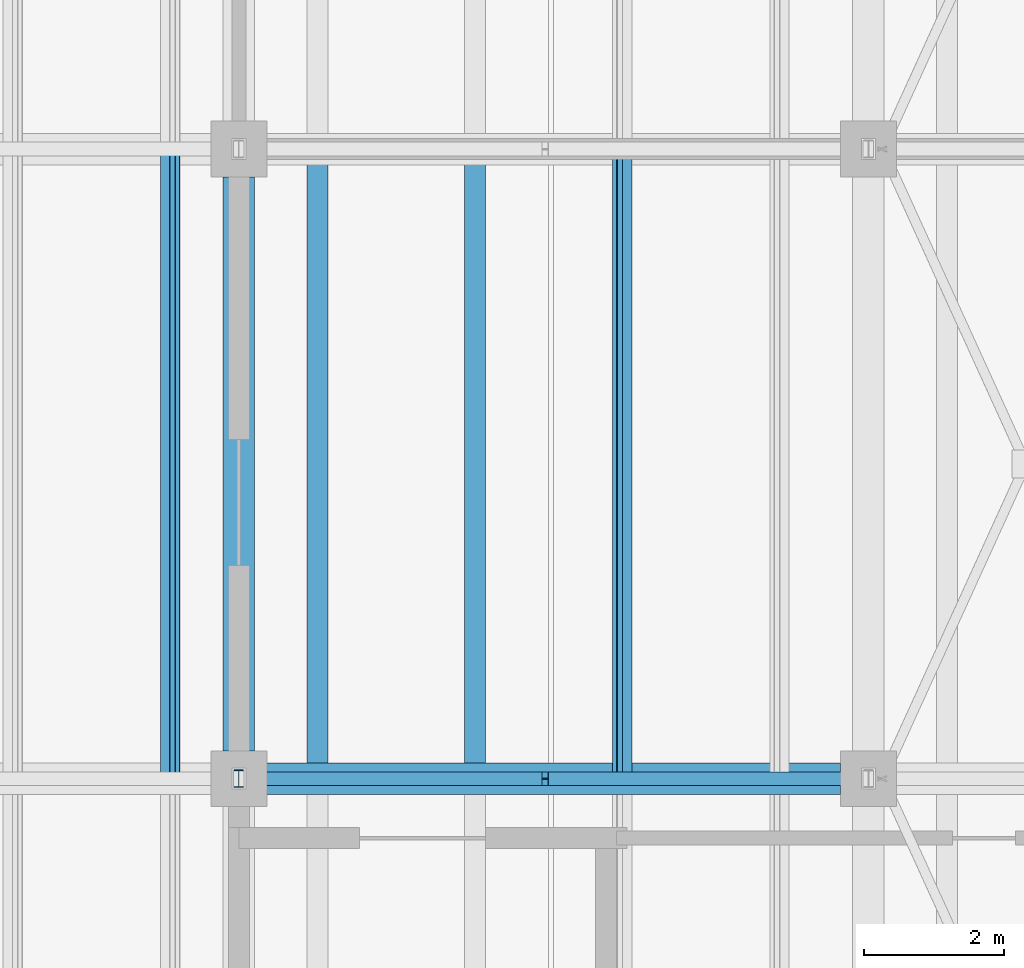
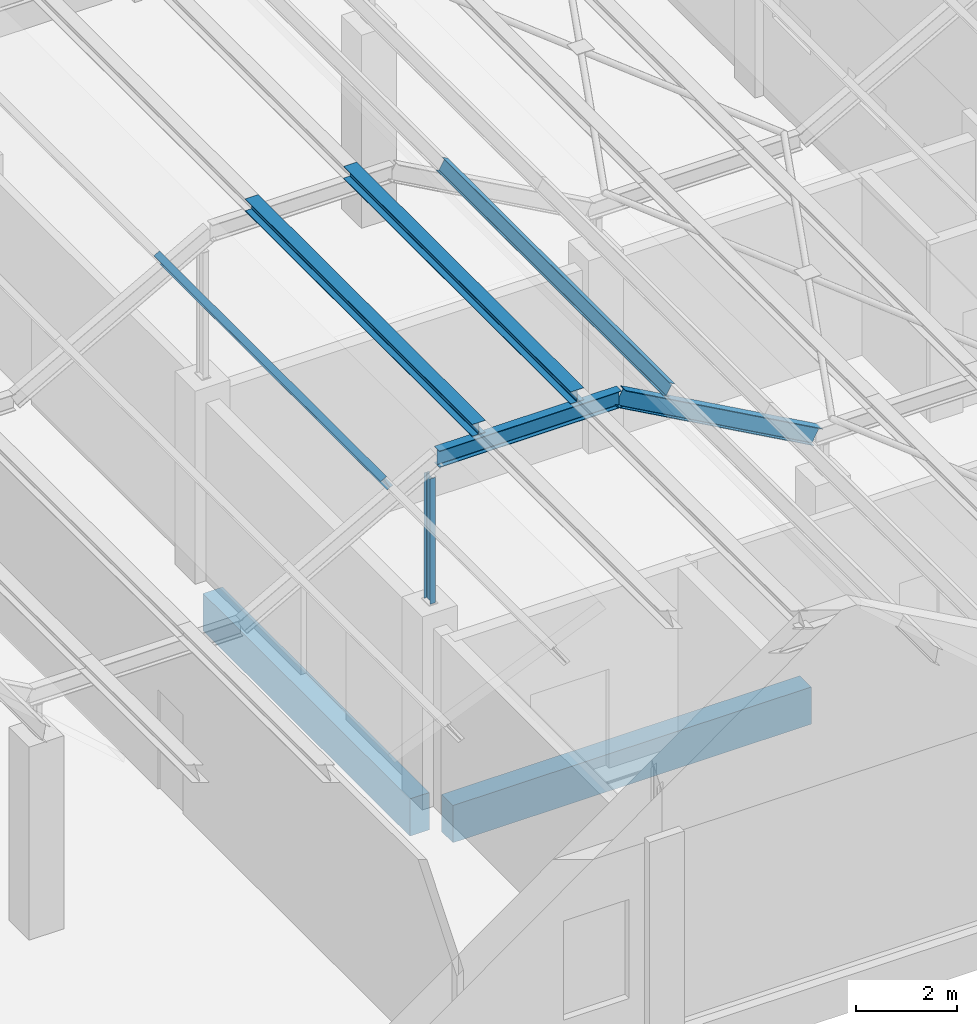
# One storey, part 23 of 437: 7 members, 2 beams.
"""IFC4 building model written with IfcOpenShell, lengths in metres."""

from ifc_helpers import new_model, si_unit, direction, frame, origin, origin_2d, place, context, subcontext, project, spatial, rectangle, i_section, extrude, material, material_profile, profile_set, type_object, element, save


model = new_model("IFC4")

# Units and contexts
model_context = context("Model", 3, precision=1e-05, world=origin(), true_north=direction((0.0, 1.0)))
body_context = subcontext(model_context, "Body", "Model", "MODEL_VIEW")
ifc_project = project(units=[si_unit("LENGTHUNIT", "METRE"), si_unit("AREAUNIT", "SQUARE_METRE"), si_unit("VOLUMEUNIT", "CUBIC_METRE"), si_unit("PLANEANGLEUNIT", "RADIAN"), si_unit("MASSUNIT", "GRAM", prefix="KILO")], contexts=[model_context])

# Site, building, storey
site_placement = place(None, origin())
site = spatial("IfcSite", under=ifc_project, at=site_placement, CompositionType="ELEMENT")
building_placement = place(site_placement, origin())
building = spatial("IfcBuilding", under=site, at=building_placement, Name="Opaline Strait Convention Centre", CompositionType="ELEMENT")
storey_placement = place(building_placement, frame((0.0, 0.0, 11.5)))
storey = spatial("IfcBuildingStorey", under=building, at=storey_placement, Name="L02", CompositionType="ELEMENT", Elevation=11.5)

# Members
ifc_material_1 = material(Name="Steel Q355B", Category="steel")
ifc_material_profile_1 = material_profile(ifc_material_1, i_section(OverallWidth=0.300048828125, OverallDepth=0.300048828125, WebThickness=0.010009765625, FlangeThickness=0.014892578125, FilletRadius=0.012939453125, at=origin_2d()), Name="HW 300x300x10x15")
ifc_profile_set_1 = profile_set([ifc_material_profile_1], Name="Steel Q355B")
member_type_1 = type_object("IfcMemberType", Name="Crest purlin HW 300x300x10x15", PredefinedType="PURLIN", material=ifc_profile_set_1)
for number, where, z_axis, x_axis, name in (
    (1, (64.125, 18.0, 8.449951171875), (0.0, 1.0, 0.0), (-1.0, 0.0, 0.0), "RU1 purlin facet 13 line 1"),
    (2, (66.375, 18.0, 8.449951171875), (0.0, 1.0, 0.0), (-1.0, 0.0, 0.0), "RU1 purlin facet 13 line 2"),
):
    element("IfcMember", number, at=place(storey_placement, frame(where, z_axis=z_axis, x_axis=x_axis)), inside=storey, type_object=member_type_1, Name=name, PredefinedType="PURLIN", context=body_context, shape_type="SweptSolid", body=[
        extrude(i_section(OverallWidth=0.300048828125, OverallDepth=0.300048828125, WebThickness=0.010009765625, FlangeThickness=0.014892578125, FilletRadius=0.012939453125, at=origin_2d()), origin(), (0.0, 0.0, 1.0), 9.0),
    ])

# Beams
ifc_material_2 = material(Name="Concrete C35", Category="concrete")
ifc_material_profile_2 = material_profile(ifc_material_2, rectangle(XDim=0.449951171875, YDim=0.89990234375, at=origin_2d()), Name="RC 450x900")
ifc_profile_set_2 = profile_set([ifc_material_profile_2], Name="Concrete C35")
beam_type = type_object("IfcBeamType", Name="RC beam 450x900 C35", PredefinedType="BEAM", material=ifc_profile_set_2)
for number, where, z_axis, x_axis, name in (
    (3, (63.39990234375, 18.0, -0.72998046875), (1.0, 0.0, 0.0), (0.0, 1.0, 0.0), "XB1 L02 63/18-72/18"),
    (4, (63.0, 18.39990234375, -0.72998046875), (0.0, 1.0, 0.0), (-1.0, 0.0, 0.0), "XB1 L02 63/18-63/27"),
):
    element("IfcBeam", number, at=place(storey_placement, frame(where, z_axis=z_axis, x_axis=x_axis)), inside=storey, type_object=beam_type, Name=name, PredefinedType="BEAM", context=body_context, shape_type="SweptSolid", body=[
        extrude(rectangle(XDim=0.449951171875, YDim=0.89990234375, at=origin_2d()), origin(), (0.0, 0.0, 1.0), 8.2001953125),
    ])

# Members
ifc_material_profile_3 = material_profile(ifc_material_1, i_section(OverallWidth=0.125, OverallDepth=0.25, WebThickness=0.006103515625, FlangeThickness=0.009033203125, FilletRadius=0.008056640625, at=origin_2d()), Name="HN 250x125x6x9")
ifc_profile_set_3 = profile_set([ifc_material_profile_3], Name="Steel Q355B")
member_type_2 = type_object("IfcMemberType", Name="Roof post HN 250x125x6x9", PredefinedType="STRUT", material=ifc_profile_set_3)
member_1_placement = place(storey_placement, frame((63.0, 18.0, 4.68994140625), z_axis=(0.0, 0.0, 1.0), x_axis=(1.0, 0.0, 0.0)))
element("IfcMember", 5, at=member_1_placement, inside=storey, type_object=member_type_2, Name="RP1 roof post at 63/18", PredefinedType="STRUT", context=body_context, shape_type="SweptSolid", body=[
    extrude(i_section(OverallWidth=0.125, OverallDepth=0.25, WebThickness=0.006103515625, FlangeThickness=0.009033203125, FilletRadius=0.008056640625, at=origin_2d()), origin(), (0.0, 0.0, 1.0), 3.031005859375),
])
ifc_material_profile_4 = material_profile(ifc_material_1, i_section(OverallWidth=0.14990234375, OverallDepth=0.300048828125, WebThickness=0.006591796875, FlangeThickness=0.009033203125, FilletRadius=0.012939453125, at=origin_2d()), Name="HN 300x150x6.5x9")
ifc_profile_set_4 = profile_set([ifc_material_profile_4], Name="Steel Q355B")
member_type_3 = type_object("IfcMemberType", Name="Roof purlin HN 300x150x6.5x9", PredefinedType="PURLIN", material=ifc_profile_set_4)
for number, where, z_axis, x_axis, name in (
    (6, (62.020751953125, 18.0, 7.86279296875), (0.0, 1.0, 0.0), (-0.874157310866, 0.0, -0.485642868639), "RU1 purlin facet 12 line 2"),
    (7, (68.479248046875, 18.0, 7.86279296875), (0.0, 1.0, 0.0), (-0.874157310866, 0.0, 0.485642868639), "RU1 purlin facet 14 line 1"),
):
    element("IfcMember", number, at=place(storey_placement, frame(where, z_axis=z_axis, x_axis=x_axis)), inside=storey, type_object=member_type_3, Name=name, PredefinedType="PURLIN", context=body_context, shape_type="SweptSolid", body=[
        extrude(i_section(OverallWidth=0.14990234375, OverallDepth=0.300048828125, WebThickness=0.006591796875, FlangeThickness=0.009033203125, FilletRadius=0.012939453125, at=origin_2d()), origin(), (0.0, 0.0, 1.0), 9.0),
    ])
ifc_material_profile_5 = material_profile(ifc_material_1, i_section(OverallWidth=0.199951171875, OverallDepth=0.39990234375, WebThickness=0.008056640625, FlangeThickness=0.012939453125, FilletRadius=0.012939453125, at=origin_2d()), Name="HN 400x200x8x13")
ifc_profile_set_5 = profile_set([ifc_material_profile_5], Name="Steel Q355B")
member_type_4 = type_object("IfcMemberType", Name="Roof rafter HN 400x200x8x13", PredefinedType="RAFTER", material=ifc_profile_set_5)
member_2_placement = place(storey_placement, frame((63.16845703125, 18.0, 8.10009765625), z_axis=(1.0, 0.0, 0.0), x_axis=(0.0, 1.0, 0.0)))
element("IfcMember", 8, at=member_2_placement, inside=storey, type_object=member_type_4, Name="RR1 rafter line 2 facet 14", PredefinedType="RAFTER", context=body_context, shape_type="SweptSolid", body=[
    extrude(i_section(OverallWidth=0.199951171875, OverallDepth=0.39990234375, WebThickness=0.008056640625, FlangeThickness=0.012939453125, FilletRadius=0.012939453125, at=origin_2d()), origin(), (0.0, 0.0, 1.0), 4.1630859375),
])
member_3_placement = place(storey_placement, frame((67.33154296875, 18.0, 8.10009765625), z_axis=(0.874157276122, 0.0, -0.485642931179), x_axis=(0.0, 1.0, 0.0)))
element("IfcMember", 9, at=member_3_placement, inside=storey, type_object=member_type_4, Name="RR1 rafter line 2 facet 15", PredefinedType="RAFTER", context=body_context, shape_type="SweptSolid", body=[
    extrude(i_section(OverallWidth=0.199951171875, OverallDepth=0.39990234375, WebThickness=0.008056640625, FlangeThickness=0.012939453125, FilletRadius=0.012939453125, at=origin_2d()), origin(), (0.0, 0.0, 1.0), 5.147705078125),
])

save(model, "model.ifc")
